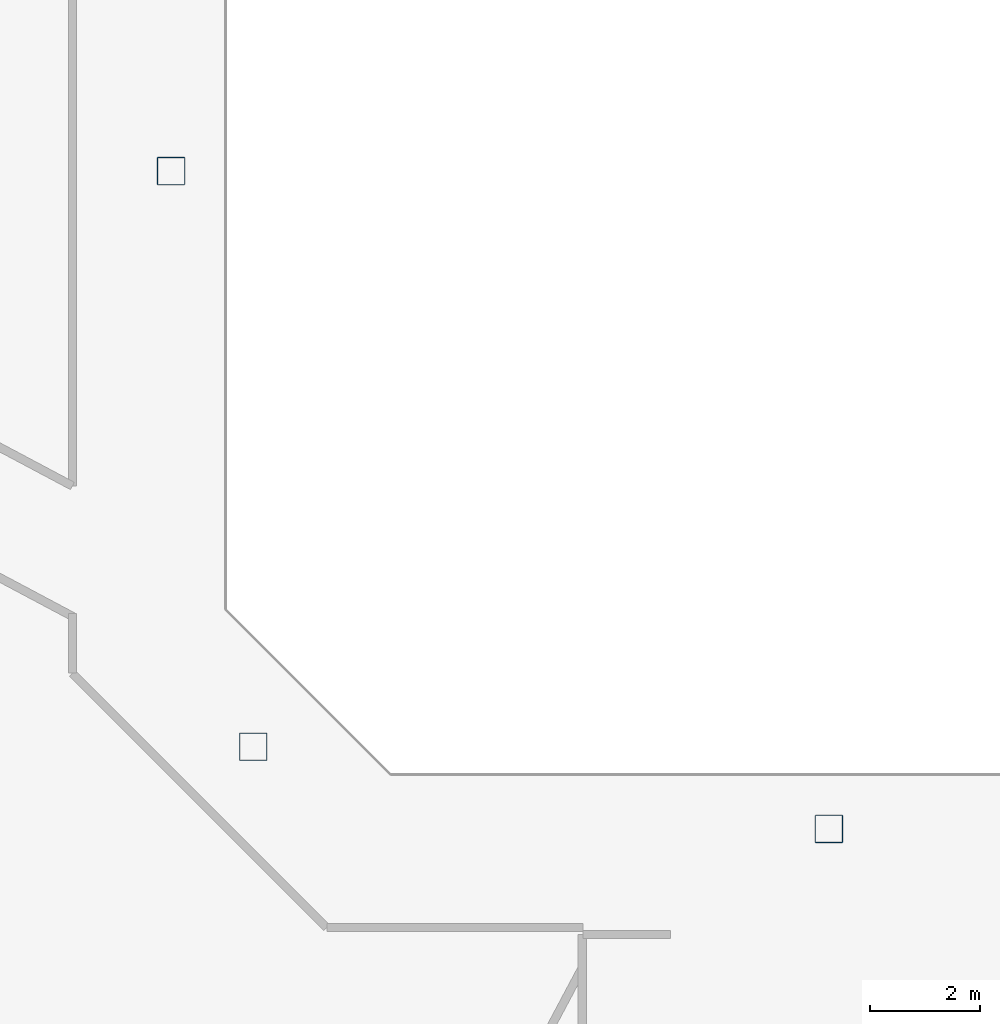
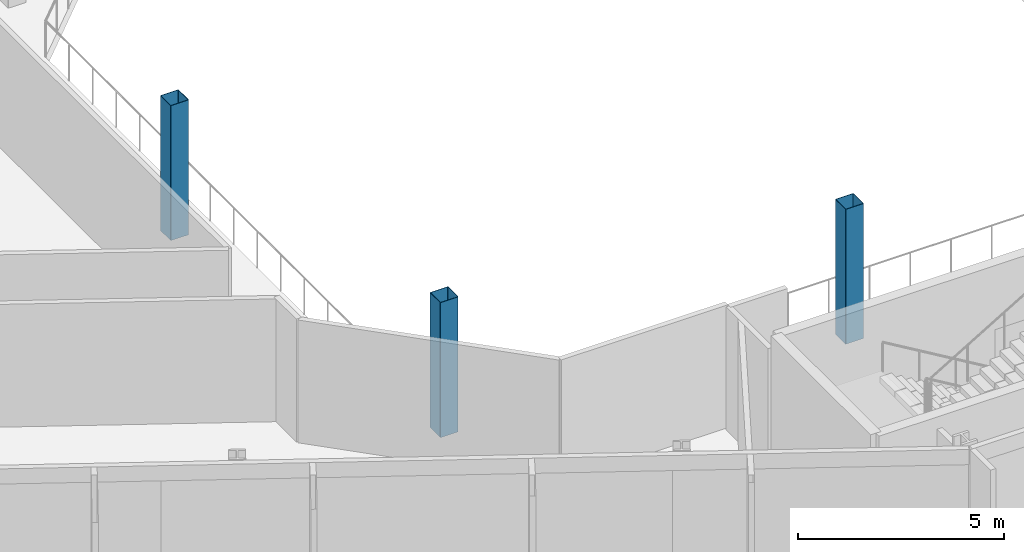
# One storey, part 2 of 28: 3 columns.
"""IFC4 building model written with IfcOpenShell, lengths in metres."""

from ifc_helpers import new_model, si_unit, direction, frame, origin, origin_2d, place, context, subcontext, project, spatial, hollow_rectangle, extrude, material, material_profile, profile_set, type_object, element, save


model = new_model("IFC4")

# Units and contexts
model_context = context("Model", 3, precision=1e-05, world=origin(), true_north=direction((0.0, 1.0)))
body_context = subcontext(model_context, "Body", "Model", "MODEL_VIEW")
ifc_project = project(units=[si_unit("LENGTHUNIT", "METRE"), si_unit("AREAUNIT", "SQUARE_METRE"), si_unit("VOLUMEUNIT", "CUBIC_METRE"), si_unit("PLANEANGLEUNIT", "RADIAN"), si_unit("MASSUNIT", "GRAM", prefix="KILO")], contexts=[model_context])

# Site, building, storey
site_placement = place(None, origin())
site = spatial("IfcSite", under=ifc_project, at=site_placement, CompositionType="ELEMENT")
building_placement = place(site_placement, origin())
building = spatial("IfcBuilding", under=site, at=building_placement, Name="Cormorant Relay Tower", CompositionType="ELEMENT")
storey_placement = place(building_placement, frame((0.0, 0.0, 126.199951171875)))
storey = spatial("IfcBuildingStorey", under=building, at=storey_placement, Name="L25", CompositionType="ELEMENT", Elevation=126.199951171875)

# Columns
ifc_material = material(Name="Steel ASTM A500 Grade C (Fy 345 MPa)", Category="steel")
ifc_material_profile = material_profile(ifc_material, hollow_rectangle(XDim=0.508056640625, YDim=0.508056640625, WallThickness=0.01171875, InnerFilletRadius=0.005859375, OuterFilletRadius=0.017822265625, at=origin_2d()), Name="HSS508x508x12")
ifc_profile_set = profile_set([ifc_material_profile], Name="Steel ASTM A500 Grade C (Fy 345 MPa)")
column_type = type_object("IfcColumnType", Name="Column HSS508x508x12", PredefinedType="COLUMN", material=ifc_profile_set)
for number, where, z_axis, x_axis, name in (
    (1, (0.0, -12.0, 0.0), (0.0, 0.0, 1.0), (1.0, 0.0, 0.0), "Column L25-007"),
    (2, (-10.5, -10.5, 0.0), (0.0, 0.0, 1.0), (1.0, 0.0, 0.0), "Column L25-009"),
    (3, (-12.0, 0.0, 0.0), (0.0, 0.0, 1.0), (1.0, 0.0, 0.0), "Column L25-015"),
):
    element("IfcColumn", number, at=place(storey_placement, frame(where, z_axis=z_axis, x_axis=x_axis)), inside=storey, type_object=column_type, Name=name, PredefinedType="COLUMN", context=body_context, shape_type="SweptSolid", body=[
        extrude(hollow_rectangle(XDim=0.508056640625, YDim=0.508056640625, WallThickness=0.01171875, InnerFilletRadius=0.005859375, OuterFilletRadius=0.017822265625, at=origin_2d()), origin(), (0.0, 0.0, 1.0), 4.0),
    ])

save(model, "model.ifc")
